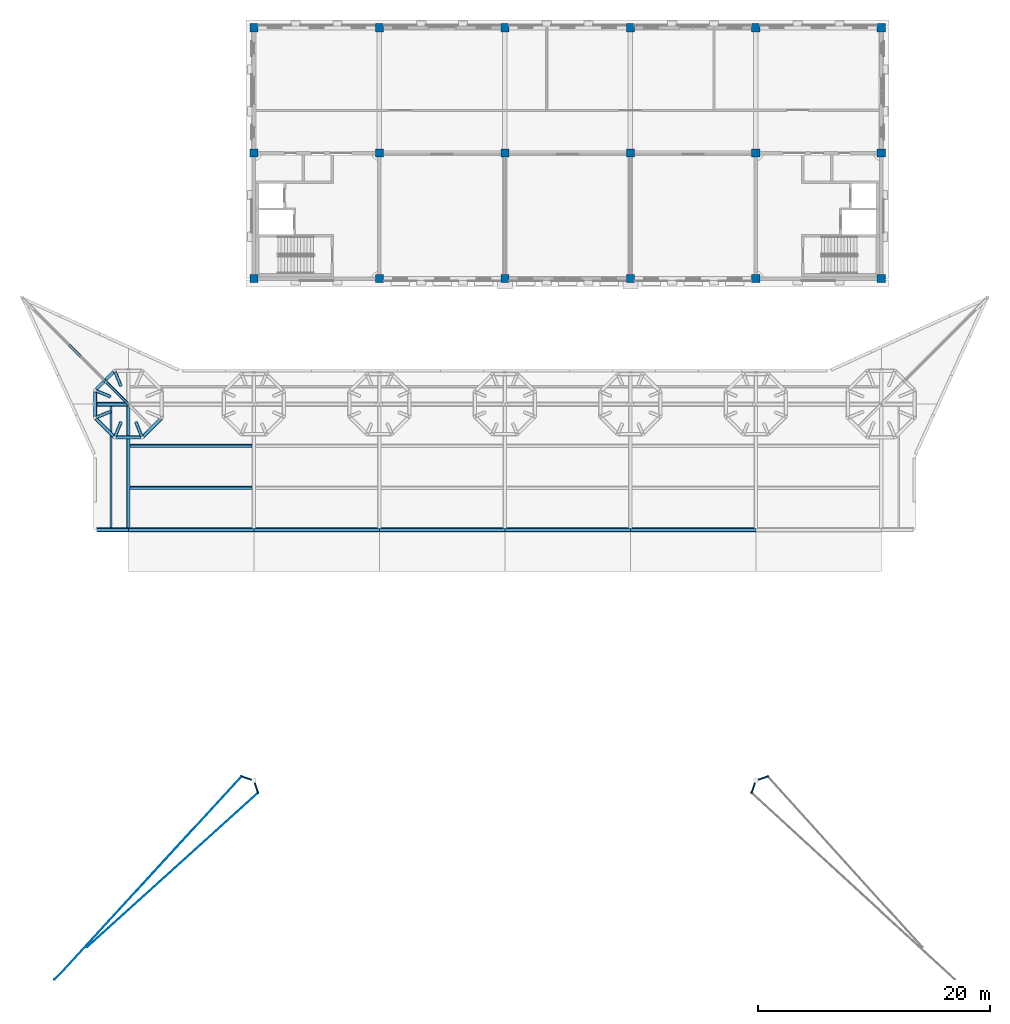
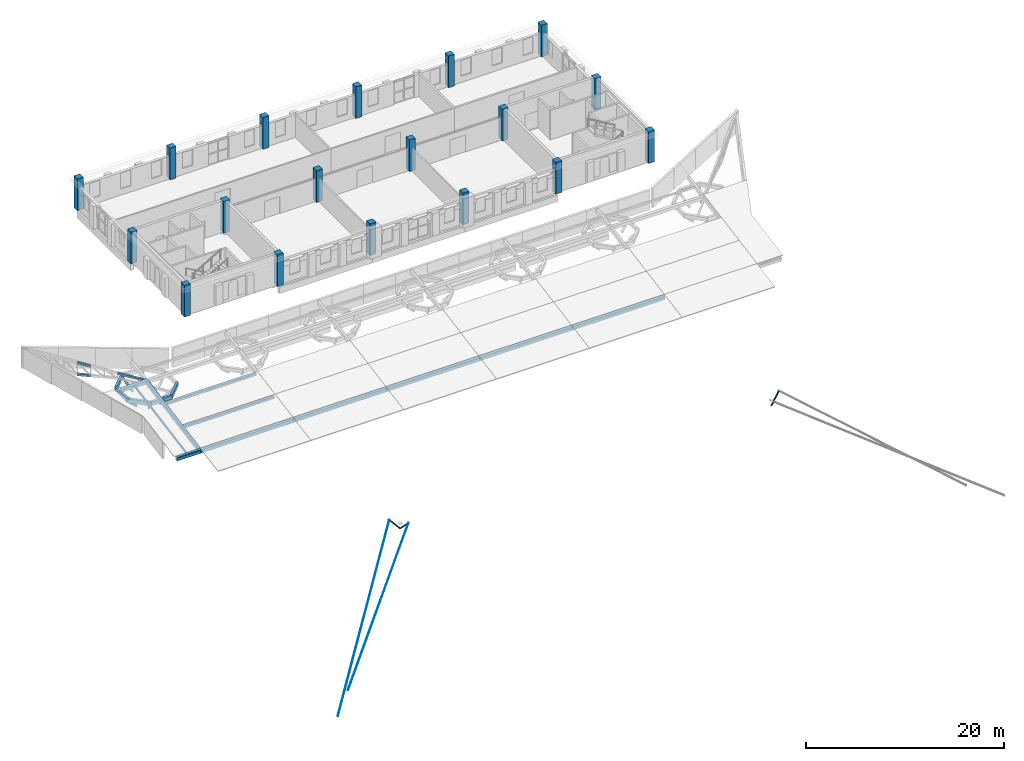
# One storey, part 1 of 32: 18 columns, 16 beams, 14 members.
"""IFC4 building model written with IfcOpenShell, lengths in metres."""

from ifc_helpers import new_model, si_unit, direction, frame, origin, origin_2d, place, context, subcontext, project, spatial, rectangle, hollow_rectangle, circle, hollow_circle, extrude, clip, halfspace, material, material_profile, profile_set, type_object, element, save


model = new_model("IFC4")

# Units and contexts
model_context = context("Model", 3, precision=1e-05, world=origin(), true_north=direction((0.0, 1.0)))
body_context = subcontext(model_context, "Body", "Model", "MODEL_VIEW")
ifc_project = project(units=[si_unit("LENGTHUNIT", "METRE"), si_unit("AREAUNIT", "SQUARE_METRE"), si_unit("VOLUMEUNIT", "CUBIC_METRE"), si_unit("PLANEANGLEUNIT", "RADIAN"), si_unit("MASSUNIT", "GRAM", prefix="KILO")], contexts=[model_context])

# Site, building, storey
site_placement = place(None, origin())
site = spatial("IfcSite", under=ifc_project, at=site_placement, CompositionType="ELEMENT")
building_placement = place(site_placement, origin())
building = spatial("IfcBuilding", under=site, at=building_placement, Name="Magnolia Steps Interchange", CompositionType="ELEMENT")
storey_placement = place(building_placement, frame((0.0, 0.0, 16.5)))
storey = spatial("IfcBuildingStorey", under=building, at=storey_placement, Name="L04", CompositionType="ELEMENT", Elevation=16.5)

# Columns
ifc_material_1 = material(Name="Concrete C40", Category="concrete")
ifc_material_profile_1 = material_profile(ifc_material_1, rectangle(XDim=0.699951171875, YDim=0.699951171875, at=origin_2d()), Name="RC700x700")
ifc_profile_set_1 = profile_set([ifc_material_profile_1], Name="Concrete C40")
column_type = type_object("IfcColumnType", Name="RC column 700x700", PredefinedType="COLUMN", material=ifc_profile_set_1)
for number, where, z_axis, x_axis, name in (
    (1, (64.0, 96.39990234375, 0.0), (0.0, 0.0, 1.0), (1.0, 0.0, 0.0), "Column OPE-6I L04"),
    (2, (64.0, 107.199951171875, 0.0), (0.0, 0.0, 1.0), (1.0, 0.0, 0.0), "Column OPE-6J L04"),
    (3, (64.0, 118.0, 0.0), (0.0, 0.0, 1.0), (1.0, 0.0, 0.0), "Column OPE-6K L04"),
    (4, (74.800048828125, 96.39990234375, 0.0), (0.0, 0.0, 1.0), (1.0, 0.0, 0.0), "Column OPE-7I L04"),
    (5, (74.800048828125, 107.199951171875, 0.0), (0.0, 0.0, 1.0), (1.0, 0.0, 0.0), "Column OPE-7J L04"),
    (6, (74.800048828125, 118.0, 0.0), (0.0, 0.0, 1.0), (1.0, 0.0, 0.0), "Column OPE-7K L04"),
    (7, (85.60009765625, 96.39990234375, 0.0), (0.0, 0.0, 1.0), (1.0, 0.0, 0.0), "Column OPE-8I L04"),
    (8, (85.60009765625, 107.199951171875, 0.0), (0.0, 0.0, 1.0), (1.0, 0.0, 0.0), "Column OPE-8J L04"),
    (9, (85.60009765625, 118.0, 0.0), (0.0, 0.0, 1.0), (1.0, 0.0, 0.0), "Column OPE-8K L04"),
    (10, (96.39990234375, 96.39990234375, 0.0), (0.0, 0.0, 1.0), (1.0, 0.0, 0.0), "Column OPE-9I L04"),
    (11, (96.39990234375, 107.199951171875, 0.0), (0.0, 0.0, 1.0), (1.0, 0.0, 0.0), "Column OPE-9J L04"),
    (12, (96.39990234375, 118.0, 0.0), (0.0, 0.0, 1.0), (1.0, 0.0, 0.0), "Column OPE-9K L04"),
    (13, (107.199951171875, 96.39990234375, 0.0), (0.0, 0.0, 1.0), (1.0, 0.0, 0.0), "Column OPE-10I L04"),
    (14, (107.199951171875, 107.199951171875, 0.0), (0.0, 0.0, 1.0), (1.0, 0.0, 0.0), "Column OPE-10J L04"),
    (15, (107.199951171875, 118.0, 0.0), (0.0, 0.0, 1.0), (1.0, 0.0, 0.0), "Column OPE-10K L04"),
    (16, (118.0, 96.39990234375, 0.0), (0.0, 0.0, 1.0), (1.0, 0.0, 0.0), "Column OPE-11I L04"),
    (17, (118.0, 107.199951171875, 0.0), (0.0, 0.0, 1.0), (1.0, 0.0, 0.0), "Column OPE-11J L04"),
    (18, (118.0, 118.0, 0.0), (0.0, 0.0, 1.0), (1.0, 0.0, 0.0), "Column OPE-11K L04"),
):
    element("IfcColumn", number, at=place(storey_placement, frame(where, z_axis=z_axis, x_axis=x_axis)), inside=storey, type_object=column_type, Name=name, PredefinedType="COLUMN", context=body_context, shape_type="SweptSolid", body=[
        extrude(rectangle(XDim=0.699951171875, YDim=0.699951171875, at=origin_2d()), origin(), (0.0, 0.0, 1.0), 3.89990234375),
    ])

# Members
ifc_material_2 = material(Name="Steel S690 galvanised spiral strand rope", Category="steel")
ifc_material_profile_2 = material_profile(ifc_material_2, circle(Radius=0.030029296875, at=origin_2d()), Name="CABLE60")
ifc_profile_set_2 = profile_set([ifc_material_profile_2], Name="Steel S690 galvanised spiral strand rope")
member_type_1 = type_object("IfcMemberType", Name="Cable stay CABLE60", PredefinedType="USERDEFINED", material=ifc_profile_set_2)
member_1_placement = place(storey_placement, frame((64.353515625, 52.139404296875, 1.098876953125), z_axis=(-0.69558872487, -0.628677645776, -0.347736600799), x_axis=(0.670523498176, -0.741888292396, 0.0)))
element("IfcMember", 19, at=member_1_placement, inside=storey, type_object=member_type_1, Name="Stay cable SP-H-SW-1", ObjectType="Cable stay", PredefinedType="USERDEFINED", context=body_context, shape_type="SweptSolid", body=[
    extrude(circle(Radius=0.030029296875, at=origin_2d()), origin(), (0.0, 0.0, 1.0), 21.133544921875),
])
member_2_placement = place(storey_placement, frame((62.939208984375, 53.5537109375, 1.098876953125), z_axis=(-0.642503470236, -0.699002508111, -0.313982140238), x_axis=(0.736234715497, -0.6767262694, 0.0)))
element("IfcMember", 20, at=member_2_placement, inside=storey, type_object=member_type_1, Name="Stay cable SP-H-SW-2", ObjectType="Cable stay", PredefinedType="USERDEFINED", context=body_context, shape_type="SweptSolid", body=[
    extrude(circle(Radius=0.030029296875, at=origin_2d()), origin(), (0.0, 0.0, 1.0), 25.03662109375),
])
ifc_material_3 = material(Name="Steel Q355B", Category="steel")
ifc_material_profile_3 = material_profile(ifc_material_3, hollow_circle(Radius=0.083984375, WallThickness=0.008056640625, at=origin_2d()), Name="CHS168x8")
ifc_profile_set_3 = profile_set([ifc_material_profile_3], Name="Steel Q355B")
member_type_2 = type_object("IfcMemberType", Name="Mast spreader CHS168x8", PredefinedType="USERDEFINED", material=ifc_profile_set_3)
member_3_placement = place(storey_placement, frame((64.0, 53.199951171875, -0.101318359375), z_axis=(0.215534197936, -0.646602593808, 0.731744555976), x_axis=(0.948683298051, 0.316227766017, 0.0)))
element("IfcMember", 21, at=member_3_placement, inside=storey, type_object=member_type_2, Name="Mast spreader SP-H-SW-1", ObjectType="Mast spreader", PredefinedType="USERDEFINED", context=body_context, shape_type="SweptSolid", body=[
    extrude(hollow_circle(Radius=0.083984375, WallThickness=0.008056640625, at=origin_2d()), origin(), (0.0, 0.0, 1.0), 1.64013671875),
])
for number, where, z_axis, x_axis, name in (
    (22, (64.0, 53.199951171875, -0.101318359375), (-0.646668448267, 0.215655369744, 0.731650654012), (-0.316358760418, -0.948639623201, 0.0), "Mast spreader SP-H-SW-2"),
    (23, (107.199951171875, 53.199951171875, -0.101318359375), (0.646668448267, 0.215655369744, 0.731650654012), (-0.316358760418, 0.948639623201, 0.0), "Mast spreader SP-H-SE-1"),
):
    element("IfcMember", number, at=place(storey_placement, frame(where, z_axis=z_axis, x_axis=x_axis)), inside=storey, type_object=member_type_2, Name=name, ObjectType="Mast spreader", PredefinedType="USERDEFINED", context=body_context, shape_type="SweptSolid", body=[
        extrude(hollow_circle(Radius=0.083984375, WallThickness=0.008056640625, at=origin_2d()), origin(), (0.0, 0.0, 1.0), 1.640380859375),
    ])
member_4_placement = place(storey_placement, frame((107.199951171875, 53.199951171875, -0.101318359375), z_axis=(-0.215534197936, -0.646602593808, 0.731744555976), x_axis=(0.948683298051, -0.316227766017, 0.0)))
element("IfcMember", 24, at=member_4_placement, inside=storey, type_object=member_type_2, Name="Mast spreader SP-H-SE-2", ObjectType="Mast spreader", PredefinedType="USERDEFINED", context=body_context, shape_type="SweptSolid", body=[
    extrude(hollow_circle(Radius=0.083984375, WallThickness=0.008056640625, at=origin_2d()), origin(), (0.0, 0.0, 1.0), 1.64013671875),
])

# Beams
ifc_material_4 = material(Name="Steel Q355B", Category="steel")
ifc_material_profile_4 = material_profile(ifc_material_4, hollow_rectangle(XDim=0.300048828125, YDim=0.5, WallThickness=0.01611328125, InnerFilletRadius=0.01611328125, OuterFilletRadius=0.031982421875, at=origin_2d()), Name="RHS500x300x16")
ifc_profile_set_4 = profile_set([ifc_material_profile_4], Name="Steel Q355B")
beam_type_1 = type_object("IfcBeamType", Name="Ring beam RHS500x300x16", PredefinedType="BEAM", material=ifc_profile_set_4)
beam_1_placement = place(storey_placement, frame((52.013671875, 88.464111328125, 1.55126953125), z_axis=(-0.707106781187, -0.707106781187, 0.0), x_axis=(0.707106781187, -0.707106781187, 0.0)))
element("IfcBeam", 25, at=beam_1_placement, inside=storey, type_object=beam_type_1, Name="Ring beam TH01E", PredefinedType="BEAM", context=body_context, shape_type="Clipping", body=[
    clip(clip(extrude(hollow_rectangle(XDim=0.300048828125, YDim=0.5, WallThickness=0.01611328125, InnerFilletRadius=0.01611328125, OuterFilletRadius=0.031982421875, at=origin_2d()), origin(), (0.0, 0.0, 1.0), 2.37255859375), halfspace(frame((0.0, 0.0, 0.0), z_axis=(0.382683433, 0.0, -0.923879532), x_axis=(0.923879532, 0.0, 0.382683433)), False)), halfspace(frame((0.0, 0.0, 2.372674707), z_axis=(0.382683433, 0.0, 0.923879532), x_axis=(0.923879532, 0.0, -0.382683433)), False)),
])
beam_2_placement = place(storey_placement, frame((50.3359375, 86.786376953125, 1.55126953125), z_axis=(0.0, -1.0, 0.0), x_axis=(1.0, 0.0, 0.0)))
element("IfcBeam", 26, at=beam_2_placement, inside=storey, type_object=beam_type_1, Name="Ring beam TH01E", PredefinedType="BEAM", context=body_context, shape_type="Clipping", body=[
    clip(clip(extrude(hollow_rectangle(XDim=0.300048828125, YDim=0.5, WallThickness=0.01611328125, InnerFilletRadius=0.01611328125, OuterFilletRadius=0.031982421875, at=origin_2d()), origin(), (0.0, 0.0, 1.0), 2.37255859375), halfspace(frame((0.0, 0.0, 0.0), z_axis=(0.382683432, 0.0, -0.923879533), x_axis=(0.923879533, 0.0, 0.382683432)), False)), halfspace(frame((0.0, 0.0, 2.372558594), z_axis=(0.382683432, 0.0, 0.923879533), x_axis=(0.923879533, 0.0, -0.382683432)), False)),
])
beam_3_placement = place(storey_placement, frame((50.3359375, 84.413818359375, 1.55126953125), z_axis=(0.707106781187, -0.707106781187, 0.0), x_axis=(0.707106781187, 0.707106781187, 0.0)))
element("IfcBeam", 27, at=beam_3_placement, inside=storey, type_object=beam_type_1, Name="Ring beam TH01E", PredefinedType="BEAM", context=body_context, shape_type="Clipping", body=[
    clip(clip(extrude(hollow_rectangle(XDim=0.300048828125, YDim=0.5, WallThickness=0.01611328125, InnerFilletRadius=0.01611328125, OuterFilletRadius=0.031982421875, at=origin_2d()), origin(), (0.0, 0.0, 1.0), 2.37255859375), halfspace(frame((0.0, 0.0, 0.0), z_axis=(0.382683433, 0.0, -0.923879532), x_axis=(0.923879532, 0.0, 0.382683433)), False)), halfspace(frame((0.0, 0.0, 2.372674707), z_axis=(0.382683433, 0.0, 0.923879532), x_axis=(0.923879532, 0.0, -0.382683433)), False)),
])
beam_4_placement = place(storey_placement, frame((52.013671875, 82.736083984375, 1.55126953125), z_axis=(1.0, 0.0, 0.0), x_axis=(0.0, 1.0, 0.0)))
element("IfcBeam", 28, at=beam_4_placement, inside=storey, type_object=beam_type_1, Name="Ring beam TH01E", PredefinedType="BEAM", context=body_context, shape_type="Clipping", body=[
    clip(clip(extrude(hollow_rectangle(XDim=0.300048828125, YDim=0.5, WallThickness=0.01611328125, InnerFilletRadius=0.01611328125, OuterFilletRadius=0.031982421875, at=origin_2d()), origin(), (0.0, 0.0, 1.0), 2.37255859375), halfspace(frame((0.0, 0.0, 0.0), z_axis=(0.382683432, 0.0, -0.923879533), x_axis=(0.923879533, 0.0, 0.382683432)), False)), halfspace(frame((0.0, 0.0, 2.372558594), z_axis=(0.382683432, 0.0, 0.923879533), x_axis=(0.923879533, 0.0, -0.382683432)), False)),
])
beam_5_placement = place(storey_placement, frame((54.38623046875, 82.736083984375, 1.55126953125), z_axis=(0.707106781187, 0.707106781187, 0.0), x_axis=(-0.707106781187, 0.707106781187, 0.0)))
element("IfcBeam", 29, at=beam_5_placement, inside=storey, type_object=beam_type_1, Name="Ring beam TH01E", PredefinedType="BEAM", context=body_context, shape_type="Clipping", body=[
    clip(clip(extrude(hollow_rectangle(XDim=0.300048828125, YDim=0.5, WallThickness=0.01611328125, InnerFilletRadius=0.01611328125, OuterFilletRadius=0.031982421875, at=origin_2d()), origin(), (0.0, 0.0, 1.0), 2.37255859375), halfspace(frame((0.0, 0.0, 0.0), z_axis=(0.382683433, 0.0, -0.923879532), x_axis=(0.923879532, 0.0, 0.382683433)), False)), halfspace(frame((0.0, 0.0, 2.372674707), z_axis=(0.382683433, 0.0, 0.923879532), x_axis=(0.923879532, 0.0, -0.382683433)), False)),
])
ifc_material_5 = material(Name="Steel Q355B", Category="steel")
ifc_material_profile_5 = material_profile(ifc_material_5, hollow_rectangle(XDim=0.300048828125, YDim=0.5, WallThickness=0.01611328125, InnerFilletRadius=0.01611328125, OuterFilletRadius=0.031982421875, at=origin_2d()), Name="RHS500x300x16")
ifc_profile_set_5 = profile_set([ifc_material_profile_5], Name="Steel Q355B")
beam_type_2 = type_object("IfcBeamType", Name="Roof beam RHS500x300x16", PredefinedType="BEAM", material=ifc_profile_set_5)
beam_6_placement = place(storey_placement, frame((50.4599609375, 74.800048828125, 0.119873046875), z_axis=(1.0, 0.0, 0.0), x_axis=(0.0, 0.98367737698, 0.17994115154)))
element("IfcBeam", 30, at=beam_6_placement, inside=storey, type_object=beam_type_2, Name="Roof beam", PredefinedType="BEAM", context=body_context, shape_type="SweptSolid", body=[
    extrude(hollow_rectangle(XDim=0.300048828125, YDim=0.5, WallThickness=0.01611328125, InnerFilletRadius=0.01611328125, OuterFilletRadius=0.031982421875, at=origin_2d()), origin(), (0.0, 0.0, 1.0), 2.739990234375),
])
for number, where, z_axis, x_axis, name in (
    (31, (53.199951171875, 74.800048828125, 0.119873046875), (1.0, 0.0, 0.0), (0.0, 0.98367737698, 0.17994115154), "Roof beam"),
    (32, (64.0, 74.800048828125, 0.119873046875), (1.0, 0.0, 0.0), (0.0, 0.98367737698, 0.17994115154), "Roof beam"),
    (33, (74.800048828125, 74.800048828125, 0.119873046875), (1.0, 0.0, 0.0), (0.0, 0.98367737698, 0.17994115154), "Roof beam"),
):
    element("IfcBeam", number, at=place(storey_placement, frame(where, z_axis=z_axis, x_axis=x_axis)), inside=storey, type_object=beam_type_2, Name=name, PredefinedType="BEAM", context=body_context, shape_type="SweptSolid", body=[
        extrude(hollow_rectangle(XDim=0.300048828125, YDim=0.5, WallThickness=0.01611328125, InnerFilletRadius=0.01611328125, OuterFilletRadius=0.031982421875, at=origin_2d()), origin(), (0.0, 0.0, 1.0), 10.800048828125),
    ])
beam_7_placement = place(storey_placement, frame((85.60009765625, 74.800048828125, 0.119873046875), z_axis=(1.0, 0.0, 0.0), x_axis=(0.0, 0.98367737698, 0.17994115154)))
element("IfcBeam", 34, at=beam_7_placement, inside=storey, type_object=beam_type_2, Name="Roof beam", PredefinedType="BEAM", context=body_context, shape_type="SweptSolid", body=[
    extrude(hollow_rectangle(XDim=0.300048828125, YDim=0.5, WallThickness=0.01611328125, InnerFilletRadius=0.01611328125, OuterFilletRadius=0.031982421875, at=origin_2d()), origin(), (0.0, 0.0, 1.0), 10.7998046875),
])
beam_8_placement = place(storey_placement, frame((96.39990234375, 74.800048828125, 0.119873046875), z_axis=(1.0, 0.0, 0.0), x_axis=(0.0, 0.98367737698, 0.17994115154)))
element("IfcBeam", 35, at=beam_8_placement, inside=storey, type_object=beam_type_2, Name="Roof beam", PredefinedType="BEAM", context=body_context, shape_type="SweptSolid", body=[
    extrude(hollow_rectangle(XDim=0.300048828125, YDim=0.5, WallThickness=0.01611328125, InnerFilletRadius=0.01611328125, OuterFilletRadius=0.031982421875, at=origin_2d()), origin(), (0.0, 0.0, 1.0), 10.800048828125),
])
beam_9_placement = place(storey_placement, frame((50.199951171875, 85.60009765625, 2.095458984375), z_axis=(1.0, 0.0, 0.0), x_axis=(0.0, 0.98367737698, 0.17994115154)))
element("IfcBeam", 36, at=beam_9_placement, inside=storey, type_object=beam_type_2, Name="Roof beam", PredefinedType="BEAM", context=body_context, shape_type="SweptSolid", body=[
    extrude(hollow_rectangle(XDim=0.300048828125, YDim=0.5, WallThickness=0.01611328125, InnerFilletRadius=0.01611328125, OuterFilletRadius=0.031982421875, at=origin_2d()), origin(), (0.0, 0.0, 1.0), 3.0),
])
beam_10_placement = place(storey_placement, frame((53.199951171875, 74.949951171875, 0.147216796875), z_axis=(0.0, 0.98367464182, 0.179956103093), x_axis=(-1.0, 0.0, 0.0)))
element("IfcBeam", 37, at=beam_10_placement, inside=storey, type_object=beam_type_2, Name="Roof beam", PredefinedType="BEAM", context=body_context, shape_type="SweptSolid", body=[
    extrude(hollow_rectangle(XDim=0.300048828125, YDim=0.5, WallThickness=0.01611328125, InnerFilletRadius=0.01611328125, OuterFilletRadius=0.031982421875, at=origin_2d()), origin(), (0.0, 0.0, 1.0), 10.67431640625),
])
ifc_material_6 = material(Name="Steel Q355B", Category="steel")
ifc_material_profile_6 = material_profile(ifc_material_6, hollow_rectangle(XDim=0.14990234375, YDim=0.25, WallThickness=0.008056640625, InnerFilletRadius=0.008056640625, OuterFilletRadius=0.01611328125, at=origin_2d()), Name="RHS250x150x8")
ifc_profile_set_6 = profile_set([ifc_material_profile_6], Name="Steel Q355B")
beam_type_3 = type_object("IfcBeamType", Name="Roof edge joist RHS250x150x8", PredefinedType="BEAM", material=ifc_profile_set_6)
beam_11_placement = place(storey_placement, frame((51.699951171875, 74.949951171875, 0.2744140625), z_axis=(0.0, 0.983678690331, 0.179933971746), x_axis=(-1.0, 0.0, 0.0)))
element("IfcBeam", 38, at=beam_11_placement, inside=storey, type_object=beam_type_3, Name="Roof edge joist", PredefinedType="BEAM", context=body_context, shape_type="SweptSolid", body=[
    extrude(hollow_rectangle(XDim=0.14990234375, YDim=0.25, WallThickness=0.008056640625, InnerFilletRadius=0.008056640625, OuterFilletRadius=0.01611328125, at=origin_2d()), origin(), (0.0, 0.0, 1.0), 10.67431640625),
])
ifc_material_7 = material(Name="Steel Q355B", Category="steel")
ifc_material_profile_7 = material_profile(ifc_material_7, hollow_rectangle(XDim=0.25, YDim=0.35009765625, WallThickness=0.011962890625, InnerFilletRadius=0.011962890625, OuterFilletRadius=0.02392578125, at=origin_2d()), Name="RHS350x250x12")
ifc_profile_set_7 = profile_set([ifc_material_profile_7], Name="Steel Q355B")
beam_type_4 = type_object("IfcBeamType", Name="Roof joist RHS350x250x12", PredefinedType="BEAM", material=ifc_profile_set_7)
for number, where, z_axis, x_axis, name in (
    (39, (53.35009765625, 78.39990234375, 0.8544921875), (1.0, 0.0, 0.0), (0.0, 0.98367737698, 0.17994115154), "Roof joist"),
    (40, (53.35009765625, 82.0, 1.51318359375), (1.0, 0.0, 0.0), (0.0, 0.98367737698, 0.17994115154), "Roof joist"),
):
    element("IfcBeam", number, at=place(storey_placement, frame(where, z_axis=z_axis, x_axis=x_axis)), inside=storey, type_object=beam_type_4, Name=name, PredefinedType="BEAM", context=body_context, shape_type="SweptSolid", body=[
        extrude(hollow_rectangle(XDim=0.25, YDim=0.35009765625, WallThickness=0.011962890625, InnerFilletRadius=0.011962890625, OuterFilletRadius=0.02392578125, at=origin_2d()), origin(), (0.0, 0.0, 1.0), 10.5),
    ])

# Members
ifc_material_8 = material(Name="Steel Q355B", Category="steel")
ifc_material_profile_8 = material_profile(ifc_material_8, hollow_rectangle(XDim=0.199951171875, YDim=0.300048828125, WallThickness=0.011962890625, InnerFilletRadius=0.011962890625, OuterFilletRadius=0.02392578125, at=origin_2d()), Name="RHS300x200x12")
ifc_profile_set_8 = profile_set([ifc_material_profile_8], Name="Steel Q355B")
member_type_3 = type_object("IfcMemberType", Name="Roof truss RHS300x200x12", PredefinedType="USERDEFINED", material=ifc_profile_set_8)
member_5_placement = place(storey_placement, frame((53.199951171875, 85.60009765625, 2.197021484375), z_axis=(-0.701262972674, 0.701262972674, 0.12829842678), x_axis=(-0.712902688306, -0.689816521651, -0.126186066834)))
element("IfcMember", 41, at=member_5_placement, inside=storey, type_object=member_type_3, Name="Spike truss SP-H-NW top chord", ObjectType="Roof truss", PredefinedType="USERDEFINED", context=body_context, shape_type="SweptSolid", body=[
    extrude(hollow_rectangle(XDim=0.199951171875, YDim=0.300048828125, WallThickness=0.011962890625, InnerFilletRadius=0.011962890625, OuterFilletRadius=0.02392578125, at=origin_2d()), origin(), (0.0, 0.0, 1.0), 3.0390625),
])
member_6_placement = place(storey_placement, frame((49.08154296875, 89.718505859375, 2.950439453125), z_axis=(-0.701357324315, 0.701185000648, 0.12820880818), x_axis=(-0.712809864442, -0.689912169433, -0.12618754147)))
element("IfcMember", 42, at=member_6_placement, inside=storey, type_object=member_type_3, Name="Spike truss SP-H-NW top chord", ObjectType="Roof truss", PredefinedType="USERDEFINED", context=body_context, shape_type="SweptSolid", body=[
    extrude(hollow_rectangle(XDim=0.199951171875, YDim=0.300048828125, WallThickness=0.011962890625, InnerFilletRadius=0.011962890625, OuterFilletRadius=0.02392578125, at=origin_2d()), origin(), (0.0, 0.0, 1.0), 1.416748046875),
])
member_7_placement = place(storey_placement, frame((49.08154296875, 89.718505859375, 1.788330078125), z_axis=(-0.70544045656, 0.705267129667, -0.070370718763), x_axis=(-0.694584626415, -0.707670614687, -0.129439166627)))
element("IfcMember", 43, at=member_7_placement, inside=storey, type_object=member_type_3, Name="Spike truss SP-H-NW bottom chord", ObjectType="Roof truss", PredefinedType="USERDEFINED", context=body_context, shape_type="SweptSolid", body=[
    extrude(hollow_rectangle(XDim=0.199951171875, YDim=0.300048828125, WallThickness=0.011962890625, InnerFilletRadius=0.011962890625, OuterFilletRadius=0.02392578125, at=origin_2d()), origin(), (0.0, 0.0, 1.0), 1.408447265625),
])
ifc_material_9 = material(Name="Steel Q355B", Category="steel")
ifc_material_profile_9 = material_profile(ifc_material_9, hollow_circle(Radius=0.136474609375, WallThickness=0.013916015625, at=origin_2d()), Name="CHS273x14")
ifc_profile_set_9 = profile_set([ifc_material_profile_9], Name="Steel Q355B")
member_type_4 = type_object("IfcMemberType", Name="Tree rib CHS273x14", PredefinedType="USERDEFINED", material=ifc_profile_set_9)
for number, where, z_axis, x_axis, name in (
    (44, (52.538818359375, 87.1962890625, 0.076171875), (-0.275302690724, 0.664642897689, 0.694592144378), (-0.923880226262, -0.382681757498, 0.0), "Tree rib TH01E"),
    (45, (51.603515625, 86.26123046875, 0.076171875), (-0.664571439163, 0.275326110485, 0.694651232731), (-0.382744666971, -0.923854165929, 0.0), "Tree rib TH01E"),
):
    element("IfcMember", number, at=place(storey_placement, frame(where, z_axis=z_axis, x_axis=x_axis)), inside=storey, type_object=member_type_4, Name=name, ObjectType="TREE RIB", PredefinedType="USERDEFINED", context=body_context, shape_type="SweptSolid", body=[
        extrude(hollow_circle(Radius=0.136474609375, WallThickness=0.013916015625, at=origin_2d()), origin(), (0.0, 0.0, 1.0), 1.907470703125),
    ])
member_8_placement = place(storey_placement, frame((51.603515625, 84.938720703125, 0.076171875), z_axis=(-0.664594855451, -0.275207808016, 0.694675708885), x_axis=(0.382592780202, -0.923917076656, 0.0)))
element("IfcMember", 46, at=member_8_placement, inside=storey, type_object=member_type_4, Name="Tree rib TH01E", ObjectType="TREE RIB", PredefinedType="USERDEFINED", context=body_context, shape_type="SweptSolid", body=[
    extrude(hollow_circle(Radius=0.136474609375, WallThickness=0.013916015625, at=origin_2d()), origin(), (0.0, 0.0, 1.0), 1.9072265625),
])
member_9_placement = place(storey_placement, frame((52.538818359375, 84.003662109375, 0.076171875), z_axis=(-0.275326110485, -0.664571439163, 0.694651232731), x_axis=(0.923854165929, -0.382744666971, 0.0)))
element("IfcMember", 47, at=member_9_placement, inside=storey, type_object=member_type_4, Name="Tree rib TH01E", ObjectType="TREE RIB", PredefinedType="USERDEFINED", context=body_context, shape_type="SweptSolid", body=[
    extrude(hollow_circle(Radius=0.136474609375, WallThickness=0.013916015625, at=origin_2d()), origin(), (0.0, 0.0, 1.0), 1.907470703125),
])
member_10_placement = place(storey_placement, frame((53.861328125, 84.003662109375, 0.076171875), z_axis=(0.275207808016, -0.664594855451, 0.694675708885), x_axis=(0.923917076656, 0.382592780202, 0.0)))
element("IfcMember", 48, at=member_10_placement, inside=storey, type_object=member_type_4, Name="Tree rib TH01E", ObjectType="TREE RIB", PredefinedType="USERDEFINED", context=body_context, shape_type="SweptSolid", body=[
    extrude(hollow_circle(Radius=0.136474609375, WallThickness=0.013916015625, at=origin_2d()), origin(), (0.0, 0.0, 1.0), 1.9072265625),
])

save(model, "model.ifc")
